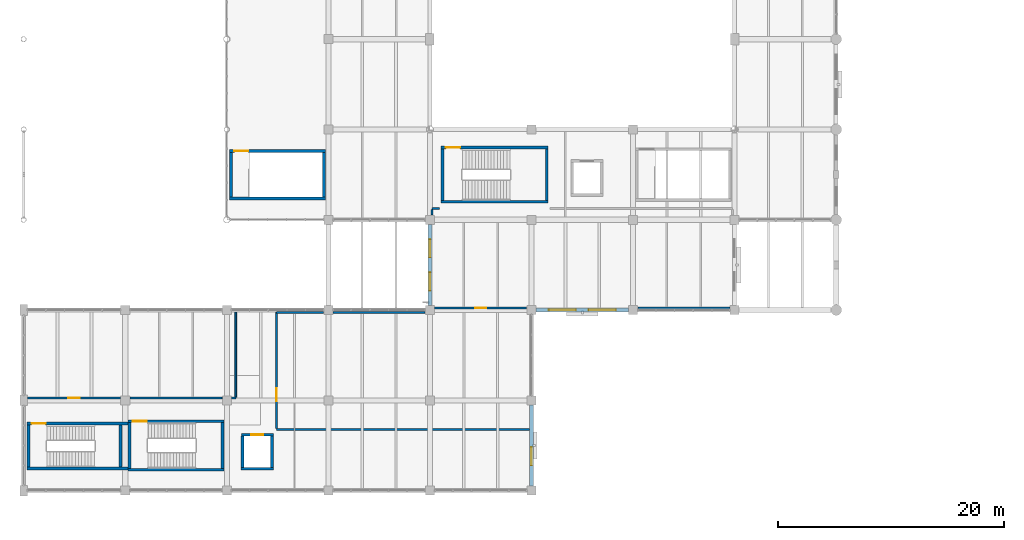
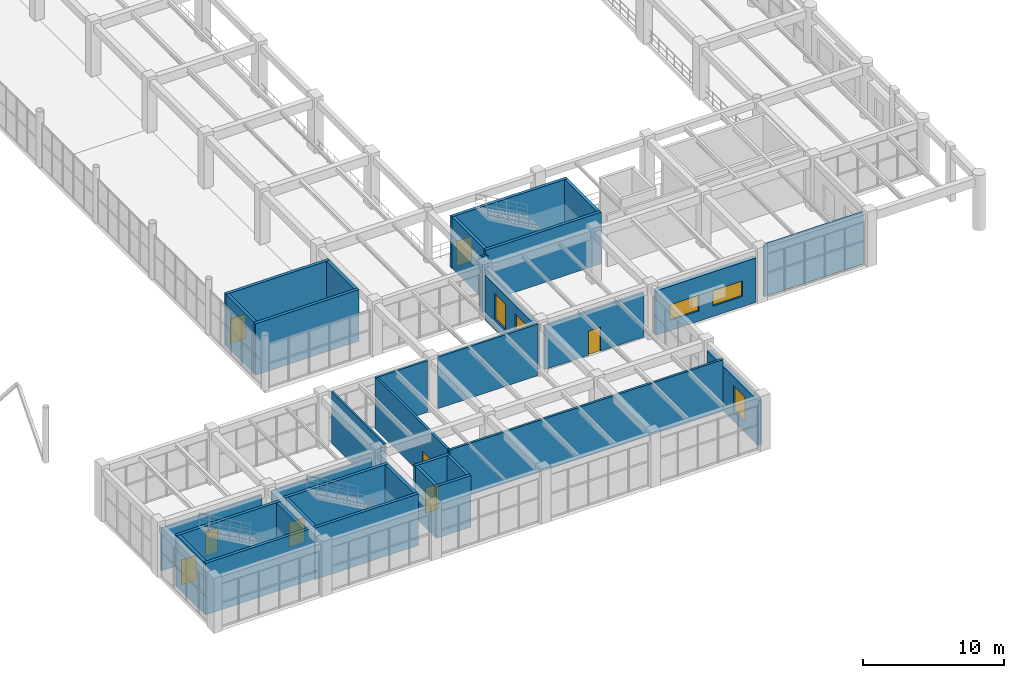
# One storey, part 151 of 178: 35 walls, 8 doors, 5 windows, 13 openings.
"""IFC4 building model written with IfcOpenShell, lengths in metres."""

from ifc_helpers import new_model, si_unit, derived_unit, direction, frame, frame_2d, origin, place, context, subcontext, project, spatial, rectangle, extrude, material, layer, layer_set, type_object, element, fill, save


model = new_model("IFC4")

# Units and contexts
model_context = context("Model", 3, precision=1e-05, world=origin(), true_north=direction((0.0, 1.0)))
body_context = subcontext(model_context, "Body", "Model", "MODEL_VIEW")
ifc_project = project(units=[si_unit("LENGTHUNIT", "METRE"), si_unit("AREAUNIT", "SQUARE_METRE"), si_unit("VOLUMEUNIT", "CUBIC_METRE"), si_unit("PLANEANGLEUNIT", "RADIAN"), si_unit("MASSUNIT", "GRAM", prefix="KILO"), derived_unit("THERMALTRANSMITTANCEUNIT", [(si_unit("MASSUNIT", "GRAM", prefix="KILO"), 1), (si_unit("TIMEUNIT", "SECOND"), -3), (si_unit("THERMODYNAMICTEMPERATUREUNIT", "KELVIN"), -1)])], contexts=[model_context])

# Site, building, storey
site_placement = place(None, origin())
site = spatial("IfcSite", under=ifc_project, at=site_placement, CompositionType="ELEMENT")
building_placement = place(site_placement, origin())
building = spatial("IfcBuilding", under=site, at=building_placement, Name="Zhenchuan Archway Interchange", CompositionType="ELEMENT")
storey_placement = place(building_placement, frame((0.0, 0.0, 5.39990234375)))
storey = spatial("IfcBuildingStorey", under=building, at=storey_placement, Name="L01", CompositionType="ELEMENT", Elevation=5.39990234375)

# Wall, openings, windows
ifc_material_1 = material(Name="Terracotta Masonry", Category="masonry")
ifc_layer_1 = layer(ifc_material_1, 0.340087890625)
ifc_layer_set_1 = layer_set([ifc_layer_1], Name="Terracotta Masonry")
wall_type_1 = type_object("IfcWallType", Name="EW_TERRA_340", PredefinedType="STANDARD", material=ifc_layer_set_1)
wall_1_placement = place(storey_placement, frame((53.60205078125, 16.0, 0.0), z_axis=(0.0, 0.0, 1.0), x_axis=(-1.0, 0.0, 0.0)))
wall_1 = element("IfcWall", 1, at=wall_1_placement, inside=storey, type_object=wall_type_1, Name="Exterior wall L01-093", PredefinedType="STANDARD", context=body_context, shape_type="SweptSolid", body=[
    extrude(rectangle(XDim=8.2041015625, YDim=0.340087890625, at=frame_2d((4.10205078125, 0.0))), origin(), (0.0, 0.0, 1.0), 3.860107421875),
])
opening_1_placement = place(wall_1_placement, frame((1.134765625, 0.0, 0.89990234375)))
opening_1 = element("IfcOpeningElement", 2, at=opening_1_placement, cuts=wall_1, Name="Opening W-11", PredefinedType="OPENING", context=body_context, shape_type="SweptSolid", body=[
    extrude(rectangle(XDim=2.39990234375, YDim=1.35009765625, at=frame_2d((1.199951171875, 0.675048828125))), frame((0.0, 0.18212890625, 0.0), z_axis=(0.0, -1.0, 0.0), x_axis=(1.0, 0.0, 0.0)), (0.0, 0.0, 1.0), 0.364013671875),
])
opening_2_placement = place(wall_1_placement, frame((4.669189453125, 0.0, 0.89990234375)))
opening_2 = element("IfcOpeningElement", 3, at=opening_2_placement, cuts=wall_1, Name="Opening W-11", PredefinedType="OPENING", context=body_context, shape_type="SweptSolid", body=[
    extrude(rectangle(XDim=2.39990234375, YDim=1.35009765625, at=frame_2d((1.199951171875, 0.675048828125))), frame((0.0, 0.18212890625, 0.0), z_axis=(0.0, -1.0, 0.0), x_axis=(1.0, 0.0, 0.0)), (0.0, 0.0, 1.0), 0.364013671875),
])
ifc_material_2 = material(Name="Double Low-E Insulated Glazing", Category="glass")
window_type_1 = type_object("IfcWindowType", Name="WN_CLER_2400x1350", PartitioningType="SINGLE_PANEL", PredefinedType="WINDOW", material=ifc_material_2)
window_1_placement = place(opening_1_placement, origin())
window_1 = element("IfcWindow", 4, at=window_1_placement, inside=storey, type_object=window_type_1, Name="Window L01-0167", OverallHeight=1.35009765625, OverallWidth=2.39990234375, PartitioningType="SINGLE_PANEL", PredefinedType="WINDOW", context=body_context, shape_type="SweptSolid", body=[
    extrude(rectangle(XDim=2.39990234375, YDim=1.35009765625, at=frame_2d((1.199951171875, 0.675048828125))), frame((0.0, 0.030029296875, 0.0), z_axis=(0.0, -1.0, 0.0), x_axis=(1.0, 0.0, 0.0)), (0.0, 0.0, 1.0), 0.06005859375),
])
fill(opening_1, window_1)
window_2_placement = place(opening_2_placement, origin())
window_2 = element("IfcWindow", 5, at=window_2_placement, inside=storey, type_object=window_type_1, Name="Window L01-0168", OverallHeight=1.35009765625, OverallWidth=2.39990234375, PartitioningType="SINGLE_PANEL", PredefinedType="WINDOW", context=body_context, shape_type="SweptSolid", body=[
    extrude(rectangle(XDim=2.39990234375, YDim=1.35009765625, at=frame_2d((1.199951171875, 0.675048828125))), frame((0.0, 0.030029296875, 0.0), z_axis=(0.0, -1.0, 0.0), x_axis=(1.0, 0.0, 0.0)), (0.0, 0.0, 1.0), 0.06005859375),
])
fill(opening_2, window_2)

# Wall, opening, window
wall_2_placement = place(storey_placement, frame((45.0, 7.60205078125, 0.0), z_axis=(0.0, 0.0, 1.0), x_axis=(0.0, -1.0, 0.0)))
wall_2 = element("IfcWall", 6, at=wall_2_placement, inside=storey, type_object=wall_type_1, Name="Exterior wall L01-095", PredefinedType="STANDARD", context=body_context, shape_type="SweptSolid", body=[
    extrude(rectangle(XDim=7.2041015625, YDim=0.340087890625, at=frame_2d((3.60205078125, 0.0))), origin(), (0.0, 0.0, 1.0), 3.860107421875),
])
opening_3_placement = place(wall_2_placement, frame((3.7529296875, 0.0, 0.89990234375)))
opening_3 = element("IfcOpeningElement", 7, at=opening_3_placement, cuts=wall_2, Name="Opening W-04", PredefinedType="OPENING", context=body_context, shape_type="SweptSolid", body=[
    extrude(rectangle(XDim=1.60009765625, YDim=2.199951171875, at=frame_2d((0.800048828125, 1.10009765625))), frame((0.0, 0.18212890625, 0.0), z_axis=(0.0, -1.0, 0.0), x_axis=(1.0, 0.0, 0.0)), (0.0, 0.0, 1.0), 0.364013671875),
])
window_type_2 = type_object("IfcWindowType", Name="WN_PUNCH_1600x2200", PartitioningType="SINGLE_PANEL", PredefinedType="WINDOW", material=ifc_material_2)
window_3_placement = place(opening_3_placement, origin())
window_3 = element("IfcWindow", 8, at=window_3_placement, inside=storey, type_object=window_type_2, Name="Window L01-0169", OverallHeight=2.199951171875, OverallWidth=1.60009765625, PartitioningType="SINGLE_PANEL", PredefinedType="WINDOW", context=body_context, shape_type="SweptSolid", body=[
    extrude(rectangle(XDim=1.60009765625, YDim=2.199951171875, at=frame_2d((0.800048828125, 1.10009765625))), frame((0.0, 0.030029296875, 0.0), z_axis=(0.0, -1.0, 0.0), x_axis=(1.0, 0.0, 0.0)), (0.0, 0.0, 1.0), 0.06005859375),
])
fill(opening_3, window_3)

# Wall, openings, windows
wall_3_placement = place(storey_placement, frame((36.0, 16.39794921875, 0.0), z_axis=(0.0, 0.0, 1.0), x_axis=(0.0, 1.0, 0.0)))
wall_3 = element("IfcWall", 9, at=wall_3_placement, inside=storey, type_object=wall_type_1, Name="Exterior wall L01-107", PredefinedType="STANDARD", context=body_context, shape_type="SweptSolid", body=[
    extrude(rectangle(XDim=7.2041015625, YDim=0.340087890625, at=frame_2d((3.60205078125, 0.0))), origin(), (0.0, 0.0, 1.0), 3.860107421875),
])
opening_4_placement = place(wall_3_placement, frame((1.334716796875, 0.0, 0.89990234375)))
opening_4 = element("IfcOpeningElement", 10, at=opening_4_placement, cuts=wall_3, Name="Opening W-04", PredefinedType="OPENING", context=body_context, shape_type="SweptSolid", body=[
    extrude(rectangle(XDim=1.60009765625, YDim=2.199951171875, at=frame_2d((0.800048828125, 1.10009765625))), frame((0.0, 0.18212890625, 0.0), z_axis=(0.0, -1.0, 0.0), x_axis=(1.0, 0.0, 0.0)), (0.0, 0.0, 1.0), 0.364013671875),
])
opening_5_placement = place(wall_3_placement, frame((4.269287109375, 0.0, 0.89990234375)))
opening_5 = element("IfcOpeningElement", 11, at=opening_5_placement, cuts=wall_3, Name="Opening W-04", PredefinedType="OPENING", context=body_context, shape_type="SweptSolid", body=[
    extrude(rectangle(XDim=1.60009765625, YDim=2.199951171875, at=frame_2d((0.800048828125, 1.10009765625))), frame((0.0, 0.18212890625, 0.0), z_axis=(0.0, -1.0, 0.0), x_axis=(1.0, 0.0, 0.0)), (0.0, 0.0, 1.0), 0.364013671875),
])
window_4_placement = place(opening_4_placement, origin())
window_4 = element("IfcWindow", 12, at=window_4_placement, inside=storey, type_object=window_type_2, Name="Window L01-0170", OverallHeight=2.199951171875, OverallWidth=1.60009765625, PartitioningType="SINGLE_PANEL", PredefinedType="WINDOW", context=body_context, shape_type="SweptSolid", body=[
    extrude(rectangle(XDim=1.60009765625, YDim=2.199951171875, at=frame_2d((0.800048828125, 1.10009765625))), frame((0.0, 0.030029296875, 0.0), z_axis=(0.0, -1.0, 0.0), x_axis=(1.0, 0.0, 0.0)), (0.0, 0.0, 1.0), 0.06005859375),
])
fill(opening_4, window_4)
window_5_placement = place(opening_5_placement, origin())
window_5 = element("IfcWindow", 13, at=window_5_placement, inside=storey, type_object=window_type_2, Name="Window L01-0171", OverallHeight=2.199951171875, OverallWidth=1.60009765625, PartitioningType="SINGLE_PANEL", PredefinedType="WINDOW", context=body_context, shape_type="SweptSolid", body=[
    extrude(rectangle(XDim=1.60009765625, YDim=2.199951171875, at=frame_2d((0.800048828125, 1.10009765625))), frame((0.0, 0.030029296875, 0.0), z_axis=(0.0, -1.0, 0.0), x_axis=(1.0, 0.0, 0.0)), (0.0, 0.0, 1.0), 0.06005859375),
])
fill(opening_5, window_5)

# Wall
ifc_material_3 = material(Name="Concrete C40", Category="concrete")
ifc_layer_2 = layer(ifc_material_3, 0.239990234375)
ifc_layer_set_2 = layer_set([ifc_layer_2], Name="Concrete C40")
wall_type_2 = type_object("IfcWallType", Name="WL_LIFT_240", PredefinedType="SHEAR", material=ifc_layer_set_2)
wall_4_placement = place(storey_placement, frame((19.280029296875, 1.949951171875, 0.0), z_axis=(0.0, 0.0, 1.0), x_axis=(1.0, 0.0, 0.0)))
element("IfcWall", 14, at=wall_4_placement, inside=storey, type_object=wall_type_2, Name="Lift LF-03 south shaft wall (L01)", PredefinedType="SHEAR", context=body_context, shape_type="SweptSolid", body=[
    extrude(rectangle(XDim=2.840087890625, YDim=0.239990234375, at=frame_2d((1.419921875, 0.0))), origin(), (0.0, 0.0, 1.0), 4.47998046875),
])

# Wall, opening, door
wall_5_placement = place(storey_placement, frame((22.1201171875, 4.949951171875, 0.0), z_axis=(0.0, 0.0, 1.0), x_axis=(-1.0, 0.0, 0.0)))
wall_5 = element("IfcWall", 15, at=wall_5_placement, inside=storey, type_object=wall_type_2, Name="Lift LF-03 north shaft wall (L01)", PredefinedType="SHEAR", context=body_context, shape_type="SweptSolid", body=[
    extrude(rectangle(XDim=2.840087890625, YDim=0.239990234375, at=frame_2d((1.419921875, 0.0))), origin(), (0.0, 0.0, 1.0), 4.47998046875),
])
opening_6_placement = place(wall_5_placement, frame((0.8701171875, 0.0, 0.0)))
opening_6 = element("IfcOpeningElement", 16, at=opening_6_placement, cuts=wall_5, Name="Opening LD-01", PredefinedType="OPENING", context=body_context, shape_type="SweptSolid", body=[
    extrude(rectangle(XDim=1.10009765625, YDim=2.199951171875, at=frame_2d((0.550048828125, 1.10009765625))), frame((0.0, 0.1318359375, 0.0), z_axis=(0.0, -1.0, 0.0), x_axis=(1.0, 0.0, 0.0)), (0.0, 0.0, 1.0), 0.263916015625),
])
ifc_material_4 = material(Name="Stainless Steel 304", Category="steel")
door_type_1 = type_object("IfcDoorType", Name="DR_LIFT_LD110", OperationType="DOUBLE_DOOR_SLIDING", PredefinedType="DOOR", material=ifc_material_4)
door_1_placement = place(opening_6_placement, origin())
door_1 = element("IfcDoor", 17, at=door_1_placement, inside=storey, type_object=door_type_1, Name="Lift LF-03 landing door (L01)", OperationType="DOUBLE_DOOR_SLIDING", OverallHeight=2.199951171875, OverallWidth=1.10009765625, PredefinedType="DOOR", context=body_context, shape_type="SweptSolid", body=[
    extrude(rectangle(XDim=1.10009765625, YDim=2.199951171875, at=frame_2d((0.550048828125, 1.10009765625))), frame((0.0, 0.02490234375, 0.0), z_axis=(0.0, -1.0, 0.0), x_axis=(1.0, 0.0, 0.0)), (0.0, 0.0, 1.0), 0.050048828125),
])
fill(opening_6, door_1)

# Walls
for number, where, z_axis, x_axis, name in (
    (18, (19.39990234375, 4.830078125, 0.0), (0.0, 0.0, 1.0), (0.0, -1.0, 0.0), "Lift LF-03 west shaft wall (L01)"),
    (19, (22.0, 2.070068359375, 0.0), (0.0, 0.0, 1.0), (0.0, 1.0, 0.0), "Lift LF-03 east shaft wall (L01)"),
):
    element("IfcWall", number, at=place(storey_placement, frame(where, z_axis=z_axis, x_axis=x_axis)), inside=storey, type_object=wall_type_2, Name=name, PredefinedType="SHEAR", context=body_context, shape_type="SweptSolid", body=[
        extrude(rectangle(XDim=2.760009765625, YDim=0.239990234375, at=frame_2d((1.3798828125, 0.0))), origin(), (0.0, 0.0, 1.0), 4.47998046875),
    ])

# Wall, opening, door
ifc_material_5 = material(Name="Gypsum Plasterboard", Category="gypsum")
ifc_layer_3 = layer(ifc_material_5, 0.14990234375)
ifc_layer_set_3 = layer_set([ifc_layer_3], Name="Gypsum Plasterboard")
wall_type_3 = type_object("IfcWallType", Name="WL_PART_150", PredefinedType="STANDARD", material=ifc_layer_set_3)
wall_6_placement = place(storey_placement, frame((0.35009765625, 8.199951171875, 0.0), z_axis=(0.0, 0.0, 1.0), x_axis=(1.0, 0.0, 0.0)))
wall_6 = element("IfcWall", 20, at=wall_6_placement, inside=storey, type_object=wall_type_3, Name="Transit Travellers Cafe S partition (L01)", PredefinedType="STANDARD", context=body_context, shape_type="SweptSolid", body=[
    extrude(rectangle(XDim=8.224853515625, YDim=0.14990234375, at=frame_2d((4.1123046875, 0.0))), origin(), (0.0, 0.0, 1.0), 3.710205078125),
])
opening_7_placement = place(wall_6_placement, frame((3.612548828125, 0.0, 0.0)))
opening_7 = element("IfcOpeningElement", 21, at=opening_7_placement, cuts=wall_6, Name="Opening ID-02", PredefinedType="OPENING", context=body_context, shape_type="SweptSolid", body=[
    extrude(rectangle(XDim=1.0, YDim=2.10009765625, at=frame_2d((0.5, 1.050048828125))), frame((0.0, 0.0869140625, 0.0), z_axis=(0.0, -1.0, 0.0), x_axis=(1.0, 0.0, 0.0)), (0.0, 0.0, 1.0), 0.173828125),
])
ifc_material_6 = material(Name="Hardwood Timber", Category="wood")
door_type_2 = type_object("IfcDoorType", Name="DR_OPS_100", OperationType="NOTDEFINED", PredefinedType="DOOR", material=ifc_material_6)
door_2_placement = place(opening_7_placement, origin())
door_2 = element("IfcDoor", 22, at=door_2_placement, inside=storey, type_object=door_type_2, Name="Transit Travellers Cafe door (L01)", OperationType="SINGLE_SWING_RIGHT", OverallHeight=2.10009765625, OverallWidth=1.0, PredefinedType="DOOR", context=body_context, shape_type="SweptSolid", body=[
    extrude(rectangle(XDim=1.0, YDim=2.10009765625, at=frame_2d((0.5, 1.050048828125))), frame((0.0, 0.02490234375, 0.0), z_axis=(0.0, -1.0, 0.0), x_axis=(1.0, 0.0, 0.0)), (0.0, 0.0, 1.0), 0.050048828125),
])
fill(opening_7, door_2)

# Walls
wall_7_placement = place(storey_placement, frame((9.425048828125, 8.199951171875, 0.0), z_axis=(0.0, 0.0, 1.0), x_axis=(1.0, 0.0, 0.0)))
element("IfcWall", 23, at=wall_7_placement, inside=storey, type_object=wall_type_3, Name="Transit Travellers Cafe S partition (L01)", PredefinedType="STANDARD", context=body_context, shape_type="SweptSolid", body=[
    extrude(rectangle(XDim=8.14990234375, YDim=0.14990234375, at=frame_2d((4.074951171875, 0.0))), origin(), (0.0, 0.0, 1.0), 3.760009765625),
])
wall_8_placement = place(storey_placement, frame((18.425048828125, 8.199951171875, 0.0), z_axis=(0.0, 0.0, 1.0), x_axis=(1.0, 0.0, 0.0)))
element("IfcWall", 24, at=wall_8_placement, inside=storey, type_object=wall_type_3, Name="Transit Travellers Cafe S partition (L01)", PredefinedType="STANDARD", context=body_context, shape_type="SweptSolid", body=[
    extrude(rectangle(XDim=0.375, YDim=0.14990234375, at=frame_2d((0.1875, 0.0))), origin(), (0.0, 0.0, 1.0), 4.47998046875),
])
wall_9_placement = place(storey_placement, frame((18.800048828125, 8.284912109375, 0.0), z_axis=(0.0, 0.0, 1.0), x_axis=(0.0, 1.0, 0.0)))
element("IfcWall", 25, at=wall_9_placement, inside=storey, type_object=wall_type_3, Name="Transit Travellers Cafe E partition (L01)", PredefinedType="STANDARD", context=body_context, shape_type="SweptSolid", body=[
    extrude(rectangle(XDim=7.5400390625, YDim=0.14990234375, at=frame_2d((3.77001953125, 0.0))), origin(), (0.0, 0.0, 1.0), 4.47998046875),
])

# Wall, opening, door
ifc_material_7 = material(Name="Concrete Block Masonry", Category="masonry")
ifc_layer_4 = layer(ifc_material_7, 0.179931640625)
ifc_layer_set_4 = layer_set([ifc_layer_4], Name="Concrete Block Masonry")
wall_type_4 = type_object("IfcWallType", Name="WL_PART_180", PredefinedType="STANDARD", material=ifc_layer_set_4)
wall_10_placement = place(storey_placement, frame((36.425048828125, 16.199951171875, 0.0), z_axis=(0.0, 0.0, 1.0), x_axis=(1.0, 0.0, 0.0)))
wall_10 = element("IfcWall", 26, at=wall_10_placement, inside=storey, type_object=wall_type_4, Name="South Mezzanine Commuter Reading Lounge S partition (L01)", PredefinedType="STANDARD", context=body_context, shape_type="SweptSolid", body=[
    extrude(rectangle(XDim=8.14990234375, YDim=0.179931640625, at=frame_2d((4.074951171875, 0.0))), origin(), (0.0, 0.0, 1.0), 3.820068359375),
])
opening_8_placement = place(wall_10_placement, frame((3.574951171875, 0.0, 0.0)))
opening_8 = element("IfcOpeningElement", 27, at=opening_8_placement, cuts=wall_10, Name="Opening ID-02", PredefinedType="OPENING", context=body_context, shape_type="SweptSolid", body=[
    extrude(rectangle(XDim=1.0, YDim=2.10009765625, at=frame_2d((0.5, 1.050048828125))), frame((0.0, 0.10205078125, 0.0), z_axis=(0.0, -1.0, 0.0), x_axis=(1.0, 0.0, 0.0)), (0.0, 0.0, 1.0), 0.203857421875),
])
door_3_placement = place(opening_8_placement, origin())
door_3 = element("IfcDoor", 28, at=door_3_placement, inside=storey, type_object=door_type_2, Name="South Mezzanine Commuter Reading Lounge door (L01)", OperationType="SINGLE_SWING_RIGHT", OverallHeight=2.10009765625, OverallWidth=1.0, PredefinedType="DOOR", context=body_context, shape_type="SweptSolid", body=[
    extrude(rectangle(XDim=1.0, YDim=2.10009765625, at=frame_2d((0.5, 1.050048828125))), frame((0.0, 0.02490234375, 0.0), z_axis=(0.0, -1.0, 0.0), x_axis=(1.0, 0.0, 0.0)), (0.0, 0.0, 1.0), 0.050048828125),
])
fill(opening_8, door_3)

# Walls
wall_11_placement = place(storey_placement, frame((54.425048828125, 16.199951171875, 0.0), z_axis=(0.0, 0.0, 1.0), x_axis=(1.0, 0.0, 0.0)))
element("IfcWall", 29, at=wall_11_placement, inside=storey, type_object=wall_type_4, Name="South Mezzanine Commuter Reading Lounge S partition (L01)", PredefinedType="STANDARD", context=body_context, shape_type="SweptSolid", body=[
    extrude(rectangle(XDim=8.14990234375, YDim=0.179931640625, at=frame_2d((4.074951171875, 0.0))), origin(), (0.0, 0.0, 1.0), 4.47998046875),
])
wall_12_placement = place(storey_placement, frame((36.199951171875, 25.0, 0.0), z_axis=(0.0, 0.0, 1.0), x_axis=(1.0, 0.0, 0.0)))
element("IfcWall", 30, at=wall_12_placement, inside=storey, type_object=wall_type_4, Name="South Mezzanine Commuter Reading Lounge N partition (L01)", PredefinedType="STANDARD", context=body_context, shape_type="SweptSolid", body=[
    extrude(rectangle(XDim=0.625, YDim=0.179931640625, at=frame_2d((0.3125, 0.0))), origin(), (0.0, 0.0, 1.0), 4.47998046875),
])
wall_13_placement = place(storey_placement, frame((36.199951171875, 24.425048828125, 0.0), z_axis=(0.0, 0.0, 1.0), x_axis=(0.0, 1.0, 0.0)))
element("IfcWall", 31, at=wall_13_placement, inside=storey, type_object=wall_type_4, Name="South Mezzanine Commuter Reading Lounge W partition (L01)", PredefinedType="STANDARD", context=body_context, shape_type="SweptSolid", body=[
    extrude(rectangle(XDim=0.474853515625, YDim=0.179931640625, at=frame_2d((0.2373046875, 0.0))), origin(), (0.0, 0.0, 1.0), 4.47998046875),
])
wall_14_placement = place(storey_placement, frame((22.39990234375, 5.39990234375, 0.0), z_axis=(0.0, 0.0, 1.0), x_axis=(1.0, 0.0, 0.0)))
element("IfcWall", 32, at=wall_14_placement, inside=storey, type_object=wall_type_4, Name="Active Mobility and Route Planning Studio S partition (L01)", PredefinedType="STANDARD", context=body_context, shape_type="SweptSolid", body=[
    extrude(rectangle(XDim=22.425048828125, YDim=0.179931640625, at=frame_2d((11.21240234375, 0.0))), origin(), (0.0, 0.0, 1.0), 4.47998046875),
])
wall_15_placement = place(storey_placement, frame((22.39990234375, 15.800048828125, 0.0), z_axis=(0.0, 0.0, 1.0), x_axis=(1.0, 0.0, 0.0)))
element("IfcWall", 33, at=wall_15_placement, inside=storey, type_object=wall_type_4, Name="Active Mobility and Route Planning Studio N partition (L01)", PredefinedType="STANDARD", context=body_context, shape_type="SweptSolid", body=[
    extrude(rectangle(XDim=4.175048828125, YDim=0.179931640625, at=frame_2d((2.08740234375, 0.0))), origin(), (0.0, 0.0, 1.0), 4.47998046875),
])
wall_16_placement = place(storey_placement, frame((27.425048828125, 15.800048828125, 0.0), z_axis=(0.0, 0.0, 1.0), x_axis=(1.0, 0.0, 0.0)))
element("IfcWall", 34, at=wall_16_placement, inside=storey, type_object=wall_type_4, Name="Active Mobility and Route Planning Studio N partition (L01)", PredefinedType="STANDARD", context=body_context, shape_type="SweptSolid", body=[
    extrude(rectangle(XDim=8.14990234375, YDim=0.179931640625, at=frame_2d((4.074951171875, 0.0))), origin(), (0.0, 0.0, 1.0), 4.47998046875),
])

# Wall, opening, door
wall_17_placement = place(storey_placement, frame((22.39990234375, 5.5, 0.0), z_axis=(0.0, 0.0, 1.0), x_axis=(0.0, 1.0, 0.0)))
wall_17 = element("IfcWall", 35, at=wall_17_placement, inside=storey, type_object=wall_type_4, Name="Active Mobility and Route Planning Studio W partition (L01)", PredefinedType="STANDARD", context=body_context, shape_type="SweptSolid", body=[
    extrude(rectangle(XDim=10.324951171875, YDim=0.179931640625, at=frame_2d((5.16259765625, 0.0))), origin(), (0.0, 0.0, 1.0), 4.47998046875),
])
opening_9_placement = place(wall_17_placement, frame((2.4375, 0.0, 0.0)))
opening_9 = element("IfcOpeningElement", 36, at=opening_9_placement, cuts=wall_17, Name="Opening ID-06", PredefinedType="OPENING", context=body_context, shape_type="SweptSolid", body=[
    extrude(rectangle(XDim=1.14990234375, YDim=2.14990234375, at=frame_2d((0.574951171875, 1.074951171875))), frame((0.0, 0.10205078125, 0.0), z_axis=(0.0, -1.0, 0.0), x_axis=(1.0, 0.0, 0.0)), (0.0, 0.0, 1.0), 0.203857421875),
])
door_type_3 = type_object("IfcDoorType", Name="DR_CTRL_115", OperationType="NOTDEFINED", PredefinedType="DOOR", material=ifc_material_6)
door_4_placement = place(opening_9_placement, origin())
door_4 = element("IfcDoor", 37, at=door_4_placement, inside=storey, type_object=door_type_3, Name="Active Mobility and Route Planning Studio door (L01)", OperationType="SINGLE_SWING_LEFT", OverallHeight=2.14990234375, OverallWidth=1.14990234375, PredefinedType="DOOR", context=body_context, shape_type="SweptSolid", body=[
    extrude(rectangle(XDim=1.14990234375, YDim=2.14990234375, at=frame_2d((0.574951171875, 1.074951171875))), frame((0.0, 0.02490234375, 0.0), z_axis=(0.0, -1.0, 0.0), x_axis=(1.0, 0.0, 0.0)), (0.0, 0.0, 1.0), 0.050048828125),
])
fill(opening_9, door_4)

# Wall
ifc_layer_5 = layer(ifc_material_3, 0.25)
ifc_layer_set_5 = layer_set([ifc_layer_5], Name="Concrete C40")
wall_type_5 = type_object("IfcWallType", Name="WL_STAIR_250", PredefinedType="SHEAR", material=ifc_layer_set_5)
wall_18_placement = place(storey_placement, frame((36.97509765625, 25.60009765625, 0.0), z_axis=(0.0, 0.0, 1.0), x_axis=(1.0, 0.0, 0.0)))
element("IfcWall", 38, at=wall_18_placement, inside=storey, type_object=wall_type_5, Name="Stair ST-M1 south wall (L01)", PredefinedType="SHEAR", context=body_context, shape_type="SweptSolid", body=[
    extrude(rectangle(XDim=9.5, YDim=0.25, at=frame_2d((4.75, 0.0))), origin(), (0.0, 0.0, 1.0), 4.47998046875),
])

# Wall, opening, door
wall_19_placement = place(storey_placement, frame((46.47509765625, 30.39990234375, 0.0), z_axis=(0.0, 0.0, 1.0), x_axis=(-1.0, 0.0, 0.0)))
wall_19 = element("IfcWall", 39, at=wall_19_placement, inside=storey, type_object=wall_type_5, Name="Stair ST-M1 north wall (L01)", PredefinedType="SHEAR", context=body_context, shape_type="SweptSolid", body=[
    extrude(rectangle(XDim=9.5, YDim=0.25, at=frame_2d((4.75, 0.0))), origin(), (0.0, 0.0, 1.0), 4.47998046875),
])
opening_10_placement = place(wall_19_placement, frame((7.804931640625, 0.0, 0.0)))
opening_10 = element("IfcOpeningElement", 40, at=opening_10_placement, cuts=wall_19, Name="Opening FD-01", PredefinedType="OPENING", context=body_context, shape_type="SweptSolid", body=[
    extrude(rectangle(XDim=1.25, YDim=2.14990234375, at=frame_2d((0.625, 1.074951171875))), frame((0.0, 0.136962890625, 0.0), z_axis=(0.0, -1.0, 0.0), x_axis=(1.0, 0.0, 0.0)), (0.0, 0.0, 1.0), 0.27392578125),
])
ifc_material_8 = material(Name="Painted Galvanised Steel", Category="steel")
door_type_4 = type_object("IfcDoorType", Name="DR_STAIR_FD90", OperationType="NOTDEFINED", PredefinedType="DOOR", material=ifc_material_8)
door_5_placement = place(opening_10_placement, origin())
door_5 = element("IfcDoor", 41, at=door_5_placement, inside=storey, type_object=door_type_4, Name="Stair ST-M1 fire door (L01)", OperationType="SINGLE_SWING_RIGHT", OverallHeight=2.14990234375, OverallWidth=1.25, PredefinedType="DOOR", context=body_context, shape_type="SweptSolid", body=[
    extrude(rectangle(XDim=1.25, YDim=2.14990234375, at=frame_2d((0.625, 1.074951171875))), frame((0.0, 0.02490234375, 0.0), z_axis=(0.0, -1.0, 0.0), x_axis=(1.0, 0.0, 0.0)), (0.0, 0.0, 1.0), 0.050048828125),
])
fill(opening_10, door_5)

# Walls
for number, where, z_axis, x_axis, name in (
    (42, (37.10009765625, 30.27490234375, 0.0), (0.0, 0.0, 1.0), (0.0, -1.0, 0.0), "Stair ST-M1 west wall (L01)"),
    (43, (46.35009765625, 25.72509765625, 0.0), (0.0, 0.0, 1.0), (0.0, 1.0, 0.0), "Stair ST-M1 east wall (L01)"),
):
    element("IfcWall", number, at=place(storey_placement, frame(where, z_axis=z_axis, x_axis=x_axis)), inside=storey, type_object=wall_type_5, Name=name, PredefinedType="SHEAR", context=body_context, shape_type="SweptSolid", body=[
        extrude(rectangle(XDim=4.5498046875, YDim=0.25, at=frame_2d((2.27490234375, 0.0))), origin(), (0.0, 0.0, 1.0), 4.47998046875),
    ])
wall_20_placement = place(storey_placement, frame((18.2548828125, 25.89990234375, 0.0), z_axis=(0.0, 0.0, 1.0), x_axis=(1.0, 0.0, 0.0)))
element("IfcWall", 44, at=wall_20_placement, inside=storey, type_object=wall_type_5, Name="Stair ST-B1 south wall (L01)", PredefinedType="SHEAR", context=body_context, shape_type="SweptSolid", body=[
    extrude(rectangle(XDim=8.490234375, YDim=0.25, at=frame_2d((4.2451171875, 0.0))), origin(), (0.0, 0.0, 1.0), 4.47998046875),
])

# Wall, opening, door
wall_21_placement = place(storey_placement, frame((26.7451171875, 30.10009765625, 0.0), z_axis=(0.0, 0.0, 1.0), x_axis=(-1.0, 0.0, 0.0)))
wall_21 = element("IfcWall", 45, at=wall_21_placement, inside=storey, type_object=wall_type_5, Name="Stair ST-B1 north wall (L01)", PredefinedType="SHEAR", context=body_context, shape_type="SweptSolid", body=[
    extrude(rectangle(XDim=8.490234375, YDim=0.25, at=frame_2d((4.2451171875, 0.0))), origin(), (0.0, 0.0, 1.0), 4.47998046875),
])
opening_11_placement = place(wall_21_placement, frame((6.8349609375, 0.0, 0.0)))
opening_11 = element("IfcOpeningElement", 46, at=opening_11_placement, cuts=wall_21, Name="Opening FD-01", PredefinedType="OPENING", context=body_context, shape_type="SweptSolid", body=[
    extrude(rectangle(XDim=1.25, YDim=2.14990234375, at=frame_2d((0.625, 1.074951171875))), frame((0.0, 0.136962890625, 0.0), z_axis=(0.0, -1.0, 0.0), x_axis=(1.0, 0.0, 0.0)), (0.0, 0.0, 1.0), 0.27392578125),
])
door_6_placement = place(opening_11_placement, origin())
door_6 = element("IfcDoor", 47, at=door_6_placement, inside=storey, type_object=door_type_4, Name="Stair ST-B1 fire door (L01)", OperationType="SINGLE_SWING_RIGHT", OverallHeight=2.14990234375, OverallWidth=1.25, PredefinedType="DOOR", context=body_context, shape_type="SweptSolid", body=[
    extrude(rectangle(XDim=1.25, YDim=2.14990234375, at=frame_2d((0.625, 1.074951171875))), frame((0.0, 0.02490234375, 0.0), z_axis=(0.0, -1.0, 0.0), x_axis=(1.0, 0.0, 0.0)), (0.0, 0.0, 1.0), 0.050048828125),
])
fill(opening_11, door_6)

# Walls
for number, where, z_axis, x_axis, name in (
    (48, (18.3798828125, 29.97509765625, 0.0), (0.0, 0.0, 1.0), (0.0, -1.0, 0.0), "Stair ST-B1 west wall (L01)"),
    (49, (26.6201171875, 26.02490234375, 0.0), (0.0, 0.0, 1.0), (0.0, 1.0, 0.0), "Stair ST-B1 east wall (L01)"),
):
    element("IfcWall", number, at=place(storey_placement, frame(where, z_axis=z_axis, x_axis=x_axis)), inside=storey, type_object=wall_type_5, Name=name, PredefinedType="SHEAR", context=body_context, shape_type="SweptSolid", body=[
        extrude(rectangle(XDim=3.9501953125, YDim=0.25, at=frame_2d((1.97509765625, 0.0))), origin(), (0.0, 0.0, 1.0), 4.47998046875),
    ])
wall_22_placement = place(storey_placement, frame((9.2548828125, 1.85009765625, 0.0), z_axis=(0.0, 0.0, 1.0), x_axis=(1.0, 0.0, 0.0)))
element("IfcWall", 50, at=wall_22_placement, inside=storey, type_object=wall_type_5, Name="Stair ST-C1 south wall (L01)", PredefinedType="SHEAR", context=body_context, shape_type="SweptSolid", body=[
    extrude(rectangle(XDim=8.490234375, YDim=0.25, at=frame_2d((4.2451171875, 0.0))), origin(), (0.0, 0.0, 1.0), 4.47998046875),
])

# Wall, opening, door
wall_23_placement = place(storey_placement, frame((17.7451171875, 6.14990234375, 0.0), z_axis=(0.0, 0.0, 1.0), x_axis=(-1.0, 0.0, 0.0)))
wall_23 = element("IfcWall", 51, at=wall_23_placement, inside=storey, type_object=wall_type_5, Name="Stair ST-C1 north wall (L01)", PredefinedType="SHEAR", context=body_context, shape_type="SweptSolid", body=[
    extrude(rectangle(XDim=8.490234375, YDim=0.25, at=frame_2d((4.2451171875, 0.0))), origin(), (0.0, 0.0, 1.0), 4.47998046875),
])
opening_12_placement = place(wall_23_placement, frame((6.8349609375, 0.0, 0.0)))
opening_12 = element("IfcOpeningElement", 52, at=opening_12_placement, cuts=wall_23, Name="Opening FD-01", PredefinedType="OPENING", context=body_context, shape_type="SweptSolid", body=[
    extrude(rectangle(XDim=1.25, YDim=2.14990234375, at=frame_2d((0.625, 1.074951171875))), frame((0.0, 0.136962890625, 0.0), z_axis=(0.0, -1.0, 0.0), x_axis=(1.0, 0.0, 0.0)), (0.0, 0.0, 1.0), 0.27392578125),
])
door_7_placement = place(opening_12_placement, origin())
door_7 = element("IfcDoor", 53, at=door_7_placement, inside=storey, type_object=door_type_4, Name="Stair ST-C1 fire door (L01)", OperationType="SINGLE_SWING_RIGHT", OverallHeight=2.14990234375, OverallWidth=1.25, PredefinedType="DOOR", context=body_context, shape_type="SweptSolid", body=[
    extrude(rectangle(XDim=1.25, YDim=2.14990234375, at=frame_2d((0.625, 1.074951171875))), frame((0.0, 0.02490234375, 0.0), z_axis=(0.0, -1.0, 0.0), x_axis=(1.0, 0.0, 0.0)), (0.0, 0.0, 1.0), 0.050048828125),
])
fill(opening_12, door_7)

# Walls
for number, where, z_axis, x_axis, name in (
    (54, (9.3798828125, 6.02490234375, 0.0), (0.0, 0.0, 1.0), (0.0, -1.0, 0.0), "Stair ST-C1 west wall (L01)"),
    (55, (17.6201171875, 1.97509765625, 0.0), (0.0, 0.0, 1.0), (0.0, 1.0, 0.0), "Stair ST-C1 east wall (L01)"),
):
    element("IfcWall", number, at=place(storey_placement, frame(where, z_axis=z_axis, x_axis=x_axis)), inside=storey, type_object=wall_type_5, Name=name, PredefinedType="SHEAR", context=body_context, shape_type="SweptSolid", body=[
        extrude(rectangle(XDim=4.0498046875, YDim=0.25, at=frame_2d((2.02490234375, 0.0))), origin(), (0.0, 0.0, 1.0), 4.47998046875),
    ])
wall_24_placement = place(storey_placement, frame((0.294921875, 1.949951171875, 0.0), z_axis=(0.0, 0.0, 1.0), x_axis=(1.0, 0.0, 0.0)))
element("IfcWall", 56, at=wall_24_placement, inside=storey, type_object=wall_type_5, Name="Stair ST-C2 south wall (L01)", PredefinedType="SHEAR", context=body_context, shape_type="SweptSolid", body=[
    extrude(rectangle(XDim=8.9599609375, YDim=0.25, at=frame_2d((4.47998046875, 0.0))), origin(), (0.0, 0.0, 1.0), 4.47998046875),
])

# Wall, opening, door
wall_25_placement = place(storey_placement, frame((9.2548828125, 5.949951171875, 0.0), z_axis=(0.0, 0.0, 1.0), x_axis=(-1.0, 0.0, 0.0)))
wall_25 = element("IfcWall", 57, at=wall_25_placement, inside=storey, type_object=wall_type_5, Name="Stair ST-C2 north wall (L01)", PredefinedType="SHEAR", context=body_context, shape_type="SweptSolid", body=[
    extrude(rectangle(XDim=8.9599609375, YDim=0.25, at=frame_2d((4.47998046875, 0.0))), origin(), (0.0, 0.0, 1.0), 4.47998046875),
])
opening_13_placement = place(wall_25_placement, frame((7.304931640625, 0.0, 0.0)))
opening_13 = element("IfcOpeningElement", 58, at=opening_13_placement, cuts=wall_25, Name="Opening FD-01", PredefinedType="OPENING", context=body_context, shape_type="SweptSolid", body=[
    extrude(rectangle(XDim=1.25, YDim=2.14990234375, at=frame_2d((0.625, 1.074951171875))), frame((0.0, 0.136962890625, 0.0), z_axis=(0.0, -1.0, 0.0), x_axis=(1.0, 0.0, 0.0)), (0.0, 0.0, 1.0), 0.27392578125),
])
door_8_placement = place(opening_13_placement, origin())
door_8 = element("IfcDoor", 59, at=door_8_placement, inside=storey, type_object=door_type_4, Name="Stair ST-C2 fire door (L01)", OperationType="SINGLE_SWING_LEFT", OverallHeight=2.14990234375, OverallWidth=1.25, PredefinedType="DOOR", context=body_context, shape_type="SweptSolid", body=[
    extrude(rectangle(XDim=1.25, YDim=2.14990234375, at=frame_2d((0.625, 1.074951171875))), frame((0.0, 0.02490234375, 0.0), z_axis=(0.0, -1.0, 0.0), x_axis=(1.0, 0.0, 0.0)), (0.0, 0.0, 1.0), 0.050048828125),
])
fill(opening_13, door_8)

# Walls
for number, where, z_axis, x_axis, name in (
    (60, (0.419921875, 5.824951171875, 0.0), (0.0, 0.0, 1.0), (0.0, -1.0, 0.0), "Stair ST-C2 west wall (L01)"),
    (61, (8.580078125, 2.074951171875, 0.0), (0.0, 0.0, 1.0), (0.0, 1.0, 0.0), "Stair ST-C2 east wall (L01)"),
):
    element("IfcWall", number, at=place(storey_placement, frame(where, z_axis=z_axis, x_axis=x_axis)), inside=storey, type_object=wall_type_5, Name=name, PredefinedType="SHEAR", context=body_context, shape_type="SweptSolid", body=[
        extrude(rectangle(XDim=3.75, YDim=0.25, at=frame_2d((1.875, 0.0))), origin(), (0.0, 0.0, 1.0), 4.47998046875),
    ])

save(model, "model.ifc")
